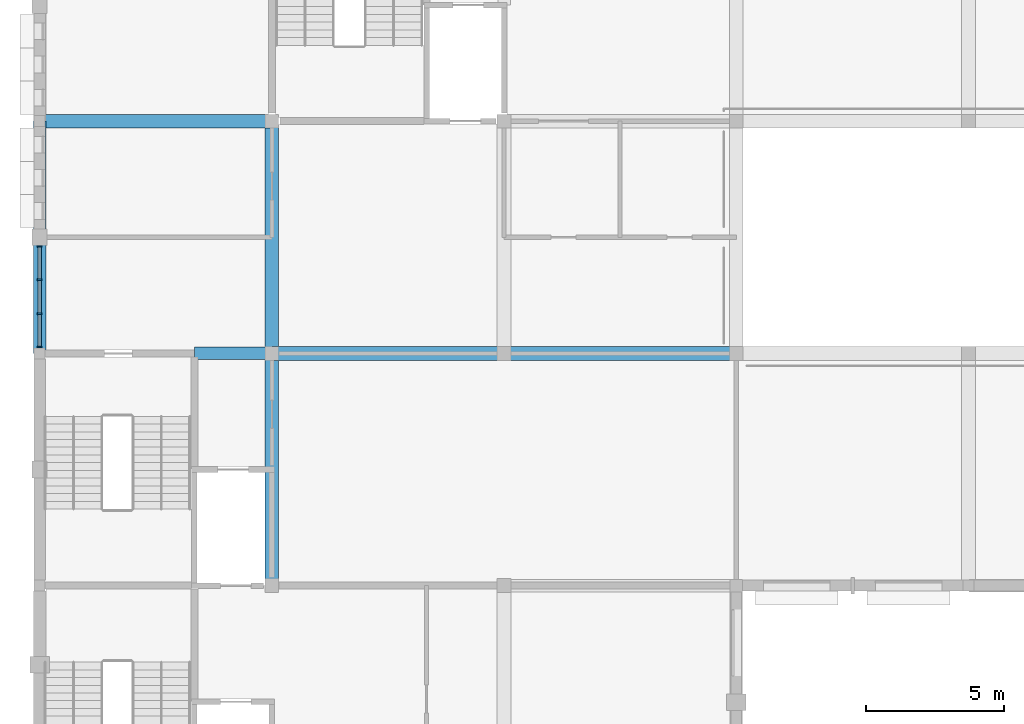
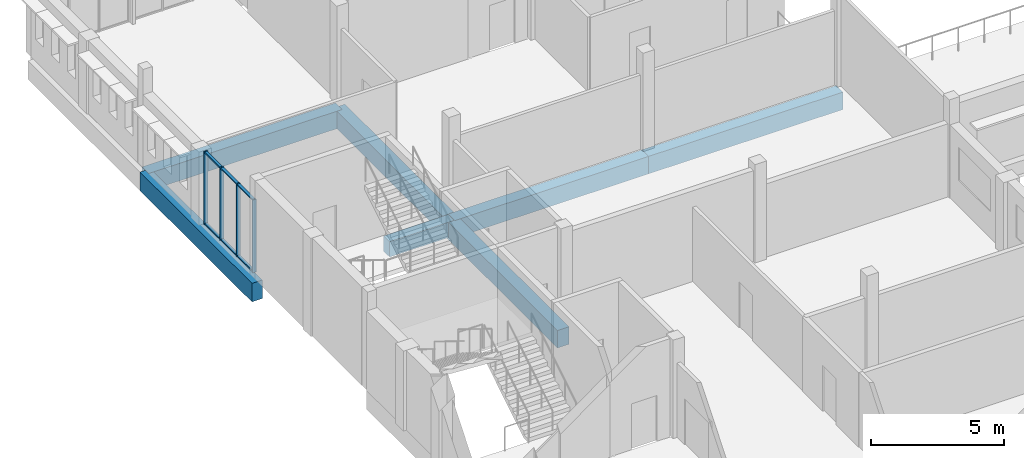
# One storey, part 8 of 38: 10 members, 7 beams, 1 element without a shape of its own.
"""IFC4 building model written with IfcOpenShell, lengths in metres."""

from ifc_helpers import new_model, si_unit, direction, frame, origin, origin_2d, place, context, subcontext, project, spatial, rectangle, extrude, material, material_profile, profile_set, type_object, element, aggregate, save


model = new_model("IFC4")

# Units and contexts
model_context = context("Model", 3, precision=1e-05, world=origin(), true_north=direction((0.0, 1.0)))
body_context = subcontext(model_context, "Body", "Model", "MODEL_VIEW")
ifc_project = project(units=[si_unit("LENGTHUNIT", "METRE"), si_unit("AREAUNIT", "SQUARE_METRE"), si_unit("VOLUMEUNIT", "CUBIC_METRE"), si_unit("PLANEANGLEUNIT", "RADIAN"), si_unit("MASSUNIT", "GRAM", prefix="KILO")], contexts=[model_context])

# Site, building, storey
site_placement = place(None, origin())
site = spatial("IfcSite", under=ifc_project, at=site_placement, CompositionType="ELEMENT")
building_placement = place(site_placement, origin())
building = spatial("IfcBuilding", under=site, at=building_placement, Name="Fescue Hill Polytechnic", CompositionType="ELEMENT")
storey_placement = place(building_placement, frame((0.0, 0.0, 18.0)))
storey = spatial("IfcBuildingStorey", under=building, at=storey_placement, Name="L04", CompositionType="ELEMENT", Elevation=18.0)

# Beams
ifc_material_1 = material(Name="Concrete 35 MPa", Category="concrete")
ifc_material_profile_1 = material_profile(ifc_material_1, rectangle(XDim=0.449951171875, YDim=0.699951171875, at=origin_2d()), Name="RC 450x700")
ifc_profile_set_1 = profile_set([ifc_material_profile_1], Name="Concrete 35 MPa")
beam_type_1 = type_object("IfcBeamType", Name="Beam RC 450x700", PredefinedType="BEAM", material=ifc_profile_set_1)
beam_1_placement = place(storey_placement, frame((5.60009765625, 117.60009765625, -0.64990234375), z_axis=(1.0, 0.0, 0.0), x_axis=(0.0, 1.0, 0.0)))
element("IfcBeam", 1, at=beam_1_placement, inside=storey, type_object=beam_type_1, Name="BM-L04-0015", PredefinedType="BEAM", context=body_context, shape_type="SweptSolid", body=[
    extrude(rectangle(XDim=0.449951171875, YDim=0.699951171875, at=origin_2d()), origin(), (0.0, 0.0, 1.0), 2.789794921875),
])
ifc_material_profile_2 = material_profile(ifc_material_1, rectangle(XDim=0.449951171875, YDim=0.85009765625, at=origin_2d()), Name="RC 450x850")
ifc_profile_set_2 = profile_set([ifc_material_profile_2], Name="Concrete 35 MPa")
beam_type_2 = type_object("IfcBeamType", Name="Beam RC 450x850", PredefinedType="BEAM", material=ifc_profile_set_2)
beam_2_placement = place(storey_placement, frame((0.0, 117.60009765625, -0.72509765625), z_axis=(0.0, 1.0, 0.0), x_axis=(-1.0, 0.0, 0.0)))
element("IfcBeam", 2, at=beam_2_placement, inside=storey, type_object=beam_type_2, Name="BM-L04-0006", PredefinedType="BEAM", context=body_context, shape_type="SweptSolid", body=[
    extrude(rectangle(XDim=0.449951171875, YDim=0.85009765625, at=origin_2d()), origin(), (0.0, 0.0, 1.0), 8.39990234375),
])
ifc_material_profile_3 = material_profile(ifc_material_1, rectangle(XDim=0.5, YDim=0.800048828125, at=origin_2d()), Name="RC 500x800")
ifc_profile_set_3 = profile_set([ifc_material_profile_3], Name="Concrete 35 MPa")
beam_type_3 = type_object("IfcBeamType", Name="Beam RC 500x800", PredefinedType="BEAM", material=ifc_profile_set_3)
beam_3_placement = place(storey_placement, frame((0.010009765625, 126.0, -0.699951171875), z_axis=(1.0, 0.0, 0.0), x_axis=(0.0, 1.0, 0.0)))
element("IfcBeam", 3, at=beam_3_placement, inside=storey, type_object=beam_type_3, Name="BM-L04-0012", PredefinedType="BEAM", context=body_context, shape_type="SweptSolid", body=[
    extrude(rectangle(XDim=0.5, YDim=0.800048828125, at=origin_2d()), origin(), (0.0, 0.0, 1.0), 8.3798828125),
])
beam_4_placement = place(storey_placement, frame((8.39990234375, 109.199951171875, -0.699951171875), z_axis=(0.0, 1.0, 0.0), x_axis=(-1.0, 0.0, 0.0)))
element("IfcBeam", 4, at=beam_4_placement, inside=storey, type_object=beam_type_3, Name="BM-L04-0022", PredefinedType="BEAM", context=body_context, shape_type="SweptSolid", body=[
    extrude(rectangle(XDim=0.5, YDim=0.800048828125, at=origin_2d()), origin(), (0.0, 0.0, 1.0), 8.400146484375),
])
beam_5_placement = place(storey_placement, frame((8.39990234375, 117.60009765625, -0.699951171875), z_axis=(0.0, 1.0, 0.0), x_axis=(-1.0, 0.0, 0.0)))
element("IfcBeam", 5, at=beam_5_placement, inside=storey, type_object=beam_type_3, Name="BM-L04-0023", PredefinedType="BEAM", context=body_context, shape_type="SweptSolid", body=[
    extrude(rectangle(XDim=0.5, YDim=0.800048828125, at=origin_2d()), origin(), (0.0, 0.0, 1.0), 8.39990234375),
])
beam_6_placement = place(storey_placement, frame((8.409912109375, 117.60009765625, -0.699951171875), z_axis=(1.0, 0.0, 0.0), x_axis=(0.0, 1.0, 0.0)))
element("IfcBeam", 6, at=beam_6_placement, inside=storey, type_object=beam_type_3, Name="BM-L04-0030", PredefinedType="BEAM", context=body_context, shape_type="SweptSolid", body=[
    extrude(rectangle(XDim=0.5, YDim=0.800048828125, at=origin_2d()), origin(), (0.0, 0.0, 1.0), 8.39013671875),
])
beam_7_placement = place(storey_placement, frame((16.800048828125, 117.60009765625, -0.699951171875), z_axis=(1.0, 0.0, 0.0), x_axis=(0.0, 1.0, 0.0)))
element("IfcBeam", 7, at=beam_7_placement, inside=storey, type_object=beam_type_3, Name="BM-L04-0041", PredefinedType="BEAM", context=body_context, shape_type="SweptSolid", body=[
    extrude(rectangle(XDim=0.5, YDim=0.800048828125, at=origin_2d()), origin(), (0.0, 0.0, 1.0), 8.39990234375),
])

# Curtain wall, members
ifc_material_2 = material(Name="Glass", Category="glass")
curtain_wall_type = type_object("IfcCurtainWallType", Name="Curtain wall structural glazing", PredefinedType="NOTDEFINED", material=ifc_material_2)
curtain_wall_placement = place(storey_placement, origin())
curtain_wall = element("IfcCurtainWall", 8, at=curtain_wall_placement, inside=storey, type_object=curtain_wall_type, Name="CW-L04-V5-X1", PredefinedType="NOTDEFINED")
ifc_material_3 = material(Name="Powder-coated aluminium", Category="aluminium")
ifc_material_profile_4 = material_profile(ifc_material_3, rectangle(XDim=0.159912109375, YDim=0.06005859375, at=origin_2d()), Name="Mullion aluminium 60x160")
ifc_profile_set_4 = profile_set([ifc_material_profile_4], Name="Powder-coated aluminium")
member_type_1 = type_object("IfcMemberType", Name="Mullion aluminium 60x160", PredefinedType="MULLION", material=ifc_profile_set_4)
member_1_placement = place(storey_placement, frame((0.0, 121.469970703125, 0.0), z_axis=(0.0, 0.0, 1.0), x_axis=(1.0, 0.0, 0.0)))
member_1 = element("IfcMember", 9, at=member_1_placement, type_object=member_type_1, Name="CW147 mullion 1", PredefinedType="MULLION", context=body_context, shape_type="SweptSolid", body=[
    extrude(rectangle(XDim=0.159912109375, YDim=0.06005859375, at=origin_2d()), origin(), (0.0, 0.0, 1.0), 3.330078125),
])
member_2_placement = place(storey_placement, frame((0.0, 120.2666015625, 0.0), z_axis=(0.0, 0.0, 1.0), x_axis=(1.0, 0.0, 0.0)))
member_2 = element("IfcMember", 10, at=member_2_placement, type_object=member_type_1, Name="CW147 mullion 2", PredefinedType="MULLION", context=body_context, shape_type="SweptSolid", body=[
    extrude(rectangle(XDim=0.159912109375, YDim=0.06005859375, at=origin_2d()), origin(), (0.0, 0.0, 1.0), 3.330078125),
])
member_3_placement = place(storey_placement, frame((0.0, 119.033447265625, 0.0), z_axis=(0.0, 0.0, 1.0), x_axis=(1.0, 0.0, 0.0)))
member_3 = element("IfcMember", 11, at=member_3_placement, type_object=member_type_1, Name="CW147 mullion 3", PredefinedType="MULLION", context=body_context, shape_type="SweptSolid", body=[
    extrude(rectangle(XDim=0.159912109375, YDim=0.06005859375, at=origin_2d()), origin(), (0.0, 0.0, 1.0), 3.330078125),
])
member_4_placement = place(storey_placement, frame((0.0, 117.830078125, 0.0), z_axis=(0.0, 0.0, 1.0), x_axis=(1.0, 0.0, 0.0)))
member_4 = element("IfcMember", 12, at=member_4_placement, type_object=member_type_1, Name="CW147 mullion 4", PredefinedType="MULLION", context=body_context, shape_type="SweptSolid", body=[
    extrude(rectangle(XDim=0.159912109375, YDim=0.06005859375, at=origin_2d()), origin(), (0.0, 0.0, 1.0), 3.330078125),
])
ifc_material_profile_5 = material_profile(ifc_material_3, rectangle(XDim=0.1201171875, YDim=0.06005859375, at=origin_2d()), Name="Transom aluminium 60x120")
ifc_profile_set_5 = profile_set([ifc_material_profile_5], Name="Powder-coated aluminium")
member_type_2 = type_object("IfcMemberType", Name="Transom aluminium 60x120", PredefinedType="USERDEFINED", material=ifc_profile_set_5)
member_5_placement = place(storey_placement, frame((0.0, 121.43994140625, 0.030029296875), z_axis=(0.0, -1.0, 0.0), x_axis=(1.0, 0.0, 0.0)))
member_5 = element("IfcMember", 13, at=member_5_placement, type_object=member_type_2, Name="CW147 transom 1.1", ObjectType="TRANSOM", PredefinedType="USERDEFINED", context=body_context, shape_type="SweptSolid", body=[
    extrude(rectangle(XDim=0.1201171875, YDim=0.06005859375, at=origin_2d()), origin(), (0.0, 0.0, 1.0), 1.143310546875),
])
member_6_placement = place(storey_placement, frame((0.0, 121.43994140625, 3.300048828125), z_axis=(0.0, -1.0, 0.0), x_axis=(1.0, 0.0, 0.0)))
member_6 = element("IfcMember", 14, at=member_6_placement, type_object=member_type_2, Name="CW147 transom 1.2", ObjectType="TRANSOM", PredefinedType="USERDEFINED", context=body_context, shape_type="SweptSolid", body=[
    extrude(rectangle(XDim=0.1201171875, YDim=0.06005859375, at=origin_2d()), origin(), (0.0, 0.0, 1.0), 1.143310546875),
])
member_7_placement = place(storey_placement, frame((0.0, 120.236572265625, 0.030029296875), z_axis=(0.0, -1.0, 0.0), x_axis=(1.0, 0.0, 0.0)))
member_7 = element("IfcMember", 15, at=member_7_placement, type_object=member_type_2, Name="CW147 transom 2.1", ObjectType="TRANSOM", PredefinedType="USERDEFINED", context=body_context, shape_type="SweptSolid", body=[
    extrude(rectangle(XDim=0.1201171875, YDim=0.06005859375, at=origin_2d()), origin(), (0.0, 0.0, 1.0), 1.17333984375),
])
member_8_placement = place(storey_placement, frame((0.0, 120.236572265625, 3.300048828125), z_axis=(0.0, -1.0, 0.0), x_axis=(1.0, 0.0, 0.0)))
member_8 = element("IfcMember", 16, at=member_8_placement, type_object=member_type_2, Name="CW147 transom 2.2", ObjectType="TRANSOM", PredefinedType="USERDEFINED", context=body_context, shape_type="SweptSolid", body=[
    extrude(rectangle(XDim=0.1201171875, YDim=0.06005859375, at=origin_2d()), origin(), (0.0, 0.0, 1.0), 1.17333984375),
])
member_9_placement = place(storey_placement, frame((0.0, 119.00341796875, 0.030029296875), z_axis=(0.0, -1.0, 0.0), x_axis=(1.0, 0.0, 0.0)))
member_9 = element("IfcMember", 17, at=member_9_placement, type_object=member_type_2, Name="CW147 transom 3.1", ObjectType="TRANSOM", PredefinedType="USERDEFINED", context=body_context, shape_type="SweptSolid", body=[
    extrude(rectangle(XDim=0.1201171875, YDim=0.06005859375, at=origin_2d()), origin(), (0.0, 0.0, 1.0), 1.143310546875),
])
member_10_placement = place(storey_placement, frame((0.0, 119.00341796875, 3.300048828125), z_axis=(0.0, -1.0, 0.0), x_axis=(1.0, 0.0, 0.0)))
member_10 = element("IfcMember", 18, at=member_10_placement, type_object=member_type_2, Name="CW147 transom 3.2", ObjectType="TRANSOM", PredefinedType="USERDEFINED", context=body_context, shape_type="SweptSolid", body=[
    extrude(rectangle(XDim=0.1201171875, YDim=0.06005859375, at=origin_2d()), origin(), (0.0, 0.0, 1.0), 1.143310546875),
])
aggregate(curtain_wall, [member_1, member_2, member_3, member_4, member_5, member_6, member_7, member_8, member_9, member_10])

save(model, "model.ifc")
